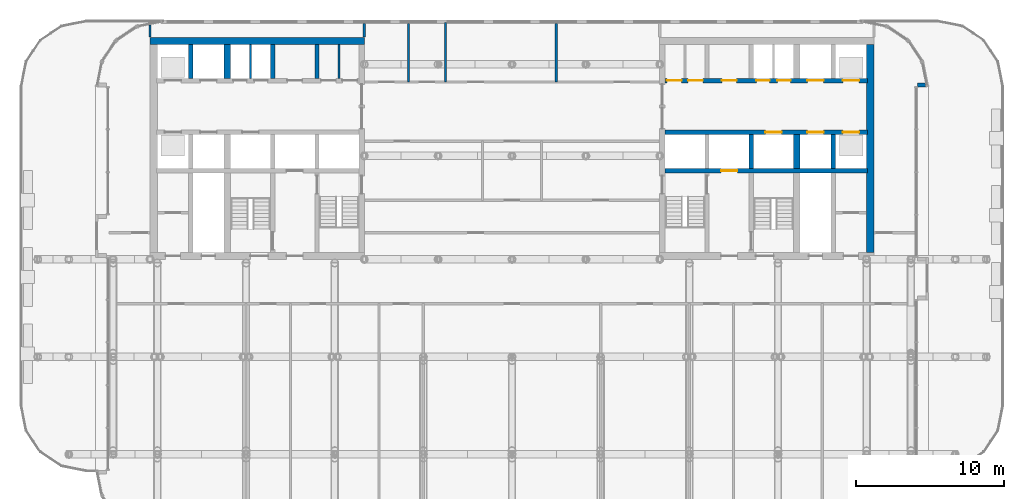
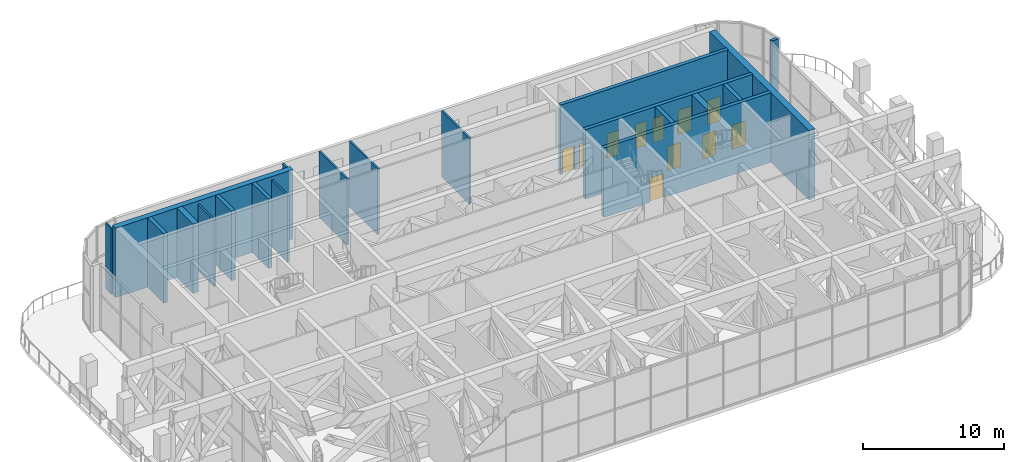
# One storey, part 19 of 25: 20 walls, 11 doors, 11 openings.
"""IFC4 building model written with IfcOpenShell, lengths in metres."""

from ifc_helpers import new_model, si_unit, direction, frame, frame_2d, origin, place, context, subcontext, project, spatial, rectangle, extrude, material, layer, layer_set, type_object, element, fill, save


model = new_model("IFC4")

# Units and contexts
model_context = context("Model", 3, precision=1e-05, world=origin(), true_north=direction((0.0, 1.0)))
body_context = subcontext(model_context, "Body", "Model", "MODEL_VIEW")
ifc_project = project(units=[si_unit("LENGTHUNIT", "METRE"), si_unit("AREAUNIT", "SQUARE_METRE"), si_unit("VOLUMEUNIT", "CUBIC_METRE"), si_unit("PLANEANGLEUNIT", "RADIAN"), si_unit("MASSUNIT", "GRAM", prefix="KILO")], contexts=[model_context])

# Site, building, storey
site_placement = place(None, origin())
site = spatial("IfcSite", under=ifc_project, at=site_placement, CompositionType="ELEMENT")
building_placement = place(site_placement, origin())
building = spatial("IfcBuilding", under=site, at=building_placement, Name="Torana Hotel and Residences", CompositionType="ELEMENT")
storey_placement = place(building_placement, frame((0.0, 0.0, 106.800048828125)))
storey = spatial("IfcBuildingStorey", under=building, at=storey_placement, Name="L27", CompositionType="ELEMENT", Elevation=106.800048828125)

# Walls
ifc_material_1 = material(Name="Concrete C70/85", Category="concrete")
ifc_layer_1 = layer(ifc_material_1, 0.300048828125)
ifc_layer_set_1 = layer_set([ifc_layer_1], Name="CORE WALL 300 C70/85")
wall_type_1 = type_object("IfcWallType", Name="CORE WALL 300 C70/85", PredefinedType="SHEAR", material=ifc_layer_set_1)
for number, where, z_axis, x_axis, name in (
    (1, (-13.199951171875, -2.75, 0.0), (0.0, 0.0, 1.0), (0.0, 1.0, 0.0), "Core wall W x3.05-N"),
    (2, (-16.199951171875, -2.75, 0.0), (0.0, 0.0, 1.0), (0.0, 1.0, 0.0), "Core wall W x6.05-N"),
    (3, (-21.75, -2.75, 0.0), (0.0, 0.0, 1.0), (0.0, 1.0, 0.0), "Core wall W mm-N"),
):
    element("IfcWall", number, at=place(storey_placement, frame(where, z_axis=z_axis, x_axis=x_axis)), inside=storey, type_object=wall_type_1, Name=name, PredefinedType="SHEAR", context=body_context, shape_type="SweptSolid", body=[
        extrude(rectangle(XDim=2.300048828125, YDim=0.300048828125, at=frame_2d((1.14990234375, 0.0))), origin(), (0.0, 0.0, 1.0), 6.0),
    ])

# Wall, openings, doors
wall_1_placement = place(storey_placement, frame((10.35009765625, -2.89990234375, 0.0), z_axis=(0.0, 0.0, 1.0), x_axis=(1.0, 0.0, 0.0)))
wall_1 = element("IfcWall", 4, at=wall_1_placement, inside=storey, type_object=wall_type_1, Name="Core wall E row-N", PredefinedType="SHEAR", context=body_context, shape_type="SweptSolid", body=[
    extrude(rectangle(XDim=13.699951171875, YDim=0.300048828125, at=frame_2d((6.85009765625, 0.0))), origin(), (0.0, 0.0, 1.0), 6.0),
])
opening_1_placement = place(wall_1_placement, frame((9.64990234375, 0.0, 0.0)))
opening_1 = element("IfcOpeningElement", 5, at=opening_1_placement, cuts=wall_1, Name="Opening LD", PredefinedType="OPENING", context=body_context, shape_type="SweptSolid", body=[
    extrude(rectangle(XDim=1.10009765625, YDim=2.10009765625, at=frame_2d((0.550048828125, 1.050048828125))), frame((0.0, 0.159912109375, 0.0), z_axis=(0.0, -1.0, 0.0), x_axis=(1.0, 0.0, 0.0)), (0.0, 0.0, 1.0), 0.320068359375),
])
opening_2_placement = place(wall_1_placement, frame((12.050048828125, 0.0, 0.0)))
opening_2 = element("IfcOpeningElement", 6, at=opening_2_placement, cuts=wall_1, Name="Opening LD", PredefinedType="OPENING", context=body_context, shape_type="SweptSolid", body=[
    extrude(rectangle(XDim=1.10009765625, YDim=2.10009765625, at=frame_2d((0.550048828125, 1.050048828125))), frame((0.0, 0.159912109375, 0.0), z_axis=(0.0, -1.0, 0.0), x_axis=(1.0, 0.0, 0.0)), (0.0, 0.0, 1.0), 0.320068359375),
])
opening_3_placement = place(wall_1_placement, frame((6.1875, 0.0, 0.0)))
opening_3 = element("IfcOpeningElement", 7, at=opening_3_placement, cuts=wall_1, Name="Opening L27-22", PredefinedType="OPENING", context=body_context, shape_type="SweptSolid", body=[
    extrude(rectangle(XDim=0.89990234375, YDim=2.10009765625, at=frame_2d((0.449951171875, 1.050048828125))), frame((0.0, 0.159912109375, 0.0), z_axis=(0.0, -1.0, 0.0), x_axis=(1.0, 0.0, 0.0)), (0.0, 0.0, 1.0), 0.320068359375),
])
opening_4_placement = place(wall_1_placement, frame((7.612548828125, 0.0, 0.0)))
opening_4 = element("IfcOpeningElement", 8, at=opening_4_placement, cuts=wall_1, Name="Opening L27-23", PredefinedType="OPENING", context=body_context, shape_type="SweptSolid", body=[
    extrude(rectangle(XDim=0.89990234375, YDim=2.10009765625, at=frame_2d((0.449951171875, 1.050048828125))), frame((0.0, 0.159912109375, 0.0), z_axis=(0.0, -1.0, 0.0), x_axis=(1.0, 0.0, 0.0)), (0.0, 0.0, 1.0), 0.320068359375),
])
opening_5_placement = place(wall_1_placement, frame((0.137451171875, 0.0, 0.0)))
opening_5 = element("IfcOpeningElement", 9, at=opening_5_placement, cuts=wall_1, Name="Opening L27-24", PredefinedType="OPENING", context=body_context, shape_type="SweptSolid", body=[
    extrude(rectangle(XDim=1.0, YDim=2.10009765625, at=frame_2d((0.5, 1.050048828125))), frame((0.0, 0.159912109375, 0.0), z_axis=(0.0, -1.0, 0.0), x_axis=(1.0, 0.0, 0.0)), (0.0, 0.0, 1.0), 0.320068359375),
])
opening_6_placement = place(wall_1_placement, frame((1.5625, 0.0, 0.0)))
opening_6 = element("IfcOpeningElement", 10, at=opening_6_placement, cuts=wall_1, Name="Opening L27-25", PredefinedType="OPENING", context=body_context, shape_type="SweptSolid", body=[
    extrude(rectangle(XDim=1.0, YDim=2.10009765625, at=frame_2d((0.5, 1.050048828125))), frame((0.0, 0.159912109375, 0.0), z_axis=(0.0, -1.0, 0.0), x_axis=(1.0, 0.0, 0.0)), (0.0, 0.0, 1.0), 0.320068359375),
])
opening_7_placement = place(wall_1_placement, frame((3.85009765625, 0.0, 0.0)))
opening_7 = element("IfcOpeningElement", 11, at=opening_7_placement, cuts=wall_1, Name="Opening L27-26", PredefinedType="OPENING", context=body_context, shape_type="SweptSolid", body=[
    extrude(rectangle(XDim=1.0, YDim=2.10009765625, at=frame_2d((0.5, 1.050048828125))), frame((0.0, 0.159912109375, 0.0), z_axis=(0.0, -1.0, 0.0), x_axis=(1.0, 0.0, 0.0)), (0.0, 0.0, 1.0), 0.320068359375),
])
ifc_material_2 = material(Name="Steel S235", Category="steel")
door_type_1 = type_object("IfcDoorType", Name="CORE ROOM FIRE DOOR D14 1000x2100", OperationType="SINGLE_SWING_LEFT", PredefinedType="DOOR", material=ifc_material_2)
door_1_placement = place(opening_5_placement, origin())
door_1 = element("IfcDoor", 12, at=door_1_placement, inside=storey, type_object=door_type_1, Name="N0A door L27", OperationType="SINGLE_SWING_RIGHT", OverallHeight=2.10009765625, OverallWidth=1.0, PredefinedType="DOOR", context=body_context, shape_type="SweptSolid", body=[
    extrude(rectangle(XDim=1.0, YDim=2.10009765625, at=frame_2d((0.5, 1.050048828125))), frame((0.0, 0.02490234375, 0.0), z_axis=(0.0, -1.0, 0.0), x_axis=(1.0, 0.0, 0.0)), (0.0, 0.0, 1.0), 0.050048828125),
])
fill(opening_5, door_1)
door_2_placement = place(opening_6_placement, origin())
door_2 = element("IfcDoor", 13, at=door_2_placement, inside=storey, type_object=door_type_1, Name="N0B door L27", OperationType="SINGLE_SWING_RIGHT", OverallHeight=2.10009765625, OverallWidth=1.0, PredefinedType="DOOR", context=body_context, shape_type="SweptSolid", body=[
    extrude(rectangle(XDim=1.0, YDim=2.10009765625, at=frame_2d((0.5, 1.050048828125))), frame((0.0, 0.02490234375, 0.0), z_axis=(0.0, -1.0, 0.0), x_axis=(1.0, 0.0, 0.0)), (0.0, 0.0, 1.0), 0.050048828125),
])
fill(opening_6, door_2)
door_3_placement = place(opening_7_placement, origin())
door_3 = element("IfcDoor", 14, at=door_3_placement, inside=storey, type_object=door_type_1, Name="N1 door L27", OperationType="SINGLE_SWING_RIGHT", OverallHeight=2.10009765625, OverallWidth=1.0, PredefinedType="DOOR", context=body_context, shape_type="SweptSolid", body=[
    extrude(rectangle(XDim=1.0, YDim=2.10009765625, at=frame_2d((0.5, 1.050048828125))), frame((0.0, 0.02490234375, 0.0), z_axis=(0.0, -1.0, 0.0), x_axis=(1.0, 0.0, 0.0)), (0.0, 0.0, 1.0), 0.050048828125),
])
fill(opening_7, door_3)
ifc_material_3 = material(Name="Stainless steel 316", Category="steel")
door_type_2 = type_object("IfcDoorType", Name="LIFT LANDING DOOR LD 1100x2100", OperationType="DOUBLE_DOOR_SLIDING", PredefinedType="USERDEFINED", material=ifc_material_3)
door_4_placement = place(opening_1_placement, origin())
door_4 = element("IfcDoor", 15, at=door_4_placement, inside=storey, type_object=door_type_2, Name="Lift landing door S2 L27", ObjectType="LIFT LANDING DOOR", OperationType="DOUBLE_DOOR_SLIDING", OverallHeight=2.10009765625, OverallWidth=1.10009765625, PredefinedType="USERDEFINED", context=body_context, shape_type="SweptSolid", body=[
    extrude(rectangle(XDim=1.10009765625, YDim=2.10009765625, at=frame_2d((0.550048828125, 1.050048828125))), frame((0.0, 0.02490234375, 0.0), z_axis=(0.0, -1.0, 0.0), x_axis=(1.0, 0.0, 0.0)), (0.0, 0.0, 1.0), 0.050048828125),
])
fill(opening_1, door_4)
door_5_placement = place(opening_2_placement, origin())
door_5 = element("IfcDoor", 16, at=door_5_placement, inside=storey, type_object=door_type_2, Name="Lift landing door M3 L27", ObjectType="LIFT LANDING DOOR", OperationType="DOUBLE_DOOR_SLIDING", OverallHeight=2.10009765625, OverallWidth=1.10009765625, PredefinedType="USERDEFINED", context=body_context, shape_type="SweptSolid", body=[
    extrude(rectangle(XDim=1.10009765625, YDim=2.10009765625, at=frame_2d((0.550048828125, 1.050048828125))), frame((0.0, 0.02490234375, 0.0), z_axis=(0.0, -1.0, 0.0), x_axis=(1.0, 0.0, 0.0)), (0.0, 0.0, 1.0), 0.050048828125),
])
fill(opening_2, door_5)
ifc_material_4 = material(Name="Steel S235", Category="steel")
door_type_3 = type_object("IfcDoorType", Name="RISER ACCESS DOOR D5 900x2100", OperationType="SINGLE_SWING_LEFT", PredefinedType="DOOR", material=ifc_material_4)
door_6_placement = place(opening_3_placement, origin())
door_6 = element("IfcDoor", 17, at=door_6_placement, inside=storey, type_object=door_type_3, Name="N2A door L27", OperationType="SINGLE_SWING_RIGHT", OverallHeight=2.10009765625, OverallWidth=0.89990234375, PredefinedType="DOOR", context=body_context, shape_type="SweptSolid", body=[
    extrude(rectangle(XDim=0.89990234375, YDim=2.10009765625, at=frame_2d((0.449951171875, 1.050048828125))), frame((0.0, 0.02490234375, 0.0), z_axis=(0.0, -1.0, 0.0), x_axis=(1.0, 0.0, 0.0)), (0.0, 0.0, 1.0), 0.050048828125),
])
fill(opening_3, door_6)
door_7_placement = place(opening_4_placement, origin())
door_7 = element("IfcDoor", 18, at=door_7_placement, inside=storey, type_object=door_type_3, Name="N2B door L27", OperationType="SINGLE_SWING_RIGHT", OverallHeight=2.10009765625, OverallWidth=0.89990234375, PredefinedType="DOOR", context=body_context, shape_type="SweptSolid", body=[
    extrude(rectangle(XDim=0.89990234375, YDim=2.10009765625, at=frame_2d((0.449951171875, 1.050048828125))), frame((0.0, 0.02490234375, 0.0), z_axis=(0.0, -1.0, 0.0), x_axis=(1.0, 0.0, 0.0)), (0.0, 0.0, 1.0), 0.050048828125),
])
fill(opening_4, door_7)

wall_2_placement = place(storey_placement, frame((10.35009765625, -6.39990234375, 0.0), z_axis=(0.0, 0.0, 1.0), x_axis=(1.0, 0.0, 0.0)))
wall_2 = element("IfcWall", 19, at=wall_2_placement, inside=storey, type_object=wall_type_1, Name="Core wall E row-S", PredefinedType="SHEAR", context=body_context, shape_type="SweptSolid", body=[
    extrude(rectangle(XDim=13.699951171875, YDim=0.300048828125, at=frame_2d((6.85009765625, 0.0))), origin(), (0.0, 0.0, 1.0), 6.0),
])
opening_8_placement = place(wall_2_placement, frame((9.64990234375, 0.0, 0.0)))
opening_8 = element("IfcOpeningElement", 20, at=opening_8_placement, cuts=wall_2, Name="Opening LD", PredefinedType="OPENING", context=body_context, shape_type="SweptSolid", body=[
    extrude(rectangle(XDim=1.10009765625, YDim=2.10009765625, at=frame_2d((0.550048828125, 1.050048828125))), frame((0.0, 0.159912109375, 0.0), z_axis=(0.0, -1.0, 0.0), x_axis=(1.0, 0.0, 0.0)), (0.0, 0.0, 1.0), 0.320068359375),
])
opening_9_placement = place(wall_2_placement, frame((12.050048828125, 0.0, 0.0)))
opening_9 = element("IfcOpeningElement", 21, at=opening_9_placement, cuts=wall_2, Name="Opening LD", PredefinedType="OPENING", context=body_context, shape_type="SweptSolid", body=[
    extrude(rectangle(XDim=1.10009765625, YDim=2.10009765625, at=frame_2d((0.550048828125, 1.050048828125))), frame((0.0, 0.159912109375, 0.0), z_axis=(0.0, -1.0, 0.0), x_axis=(1.0, 0.0, 0.0)), (0.0, 0.0, 1.0), 0.320068359375),
])
opening_10_placement = place(wall_2_placement, frame((6.800048828125, 0.0, 0.0)))
opening_10 = element("IfcOpeningElement", 22, at=opening_10_placement, cuts=wall_2, Name="Opening LD", PredefinedType="OPENING", context=body_context, shape_type="SweptSolid", body=[
    extrude(rectangle(XDim=1.10009765625, YDim=2.10009765625, at=frame_2d((0.550048828125, 1.050048828125))), frame((0.0, 0.159912109375, 0.0), z_axis=(0.0, -1.0, 0.0), x_axis=(1.0, 0.0, 0.0)), (0.0, 0.0, 1.0), 0.320068359375),
])
door_8_placement = place(opening_8_placement, origin())
door_8 = element("IfcDoor", 23, at=door_8_placement, inside=storey, type_object=door_type_2, Name="Lift landing door S4 L27", ObjectType="LIFT LANDING DOOR", OperationType="DOUBLE_DOOR_SLIDING", OverallHeight=2.10009765625, OverallWidth=1.10009765625, PredefinedType="USERDEFINED", context=body_context, shape_type="SweptSolid", body=[
    extrude(rectangle(XDim=1.10009765625, YDim=2.10009765625, at=frame_2d((0.550048828125, 1.050048828125))), frame((0.0, 0.02490234375, 0.0), z_axis=(0.0, -1.0, 0.0), x_axis=(1.0, 0.0, 0.0)), (0.0, 0.0, 1.0), 0.050048828125),
])
fill(opening_8, door_8)
door_9_placement = place(opening_9_placement, origin())
door_9 = element("IfcDoor", 24, at=door_9_placement, inside=storey, type_object=door_type_2, Name="Lift landing door M4 L27", ObjectType="LIFT LANDING DOOR", OperationType="DOUBLE_DOOR_SLIDING", OverallHeight=2.10009765625, OverallWidth=1.10009765625, PredefinedType="USERDEFINED", context=body_context, shape_type="SweptSolid", body=[
    extrude(rectangle(XDim=1.10009765625, YDim=2.10009765625, at=frame_2d((0.550048828125, 1.050048828125))), frame((0.0, 0.02490234375, 0.0), z_axis=(0.0, -1.0, 0.0), x_axis=(1.0, 0.0, 0.0)), (0.0, 0.0, 1.0), 0.050048828125),
])
fill(opening_9, door_9)
door_10_placement = place(opening_10_placement, origin())
door_10 = element("IfcDoor", 25, at=door_10_placement, inside=storey, type_object=door_type_2, Name="Lift landing door SV2 L27", ObjectType="LIFT LANDING DOOR", OperationType="DOUBLE_DOOR_SLIDING", OverallHeight=2.10009765625, OverallWidth=1.10009765625, PredefinedType="USERDEFINED", context=body_context, shape_type="SweptSolid", body=[
    extrude(rectangle(XDim=1.10009765625, YDim=2.10009765625, at=frame_2d((0.550048828125, 1.050048828125))), frame((0.0, 0.02490234375, 0.0), z_axis=(0.0, -1.0, 0.0), x_axis=(1.0, 0.0, 0.0)), (0.0, 0.0, 1.0), 0.050048828125),
])
fill(opening_10, door_10)

# Wall, opening, door
wall_3_placement = place(storey_placement, frame((10.35009765625, -9.0, 0.0), z_axis=(0.0, 0.0, 1.0), x_axis=(1.0, 0.0, 0.0)))
wall_3 = element("IfcWall", 26, at=wall_3_placement, inside=storey, type_object=wall_type_1, Name="Core wall E band", PredefinedType="SHEAR", context=body_context, shape_type="SweptSolid", body=[
    extrude(rectangle(XDim=13.699951171875, YDim=0.300048828125, at=frame_2d((6.85009765625, 0.0))), origin(), (0.0, 0.0, 1.0), 6.0),
])
opening_11_placement = place(wall_3_placement, frame((3.800048828125, 0.0, 0.0)))
opening_11 = element("IfcOpeningElement", 27, at=opening_11_placement, cuts=wall_3, Name="Opening LD", PredefinedType="OPENING", context=body_context, shape_type="SweptSolid", body=[
    extrude(rectangle(XDim=1.10009765625, YDim=2.10009765625, at=frame_2d((0.550048828125, 1.050048828125))), frame((0.0, 0.159912109375, 0.0), z_axis=(0.0, -1.0, 0.0), x_axis=(1.0, 0.0, 0.0)), (0.0, 0.0, 1.0), 0.320068359375),
])
door_11_placement = place(opening_11_placement, origin())
door_11 = element("IfcDoor", 28, at=door_11_placement, inside=storey, type_object=door_type_2, Name="Lift landing door FF2 L27", ObjectType="LIFT LANDING DOOR", OperationType="DOUBLE_DOOR_SLIDING", OverallHeight=2.10009765625, OverallWidth=1.10009765625, PredefinedType="USERDEFINED", context=body_context, shape_type="SweptSolid", body=[
    extrude(rectangle(XDim=1.10009765625, YDim=2.10009765625, at=frame_2d((0.550048828125, 1.050048828125))), frame((0.0, 0.02490234375, 0.0), z_axis=(0.0, -1.0, 0.0), x_axis=(1.0, 0.0, 0.0)), (0.0, 0.0, 1.0), 0.050048828125),
])
fill(opening_11, door_11)

# Walls
for number, where, z_axis, x_axis, name in (
    (29, (16.199951171875, -8.85009765625, 0.0), (0.0, 0.0, 1.0), (0.0, 1.0, 0.0), "Core wall E x6.05-S"),
    (30, (21.75, -8.85009765625, 0.0), (0.0, 0.0, 1.0), (0.0, 1.0, 0.0), "Core wall E mm-S"),
):
    element("IfcWall", number, at=place(storey_placement, frame(where, z_axis=z_axis, x_axis=x_axis)), inside=storey, type_object=wall_type_1, Name=name, PredefinedType="SHEAR", context=body_context, shape_type="SweptSolid", body=[
        extrude(rectangle(XDim=2.300048828125, YDim=0.300048828125, at=frame_2d((1.14990234375, 0.0))), origin(), (0.0, 0.0, 1.0), 6.0),
    ])
ifc_material_5 = material(Name="Concrete C70/85", Category="concrete")
ifc_layer_2 = layer(ifc_material_5, 0.449951171875)
ifc_layer_set_2 = layer_set([ifc_layer_2], Name="CORE WALL 450 C70/85")
wall_type_2 = type_object("IfcWallType", Name="CORE WALL 450 C70/85", PredefinedType="SHEAR", material=ifc_layer_set_2)
wall_4_placement = place(storey_placement, frame((-24.5, -0.22509765625, 0.0), z_axis=(0.0, 0.0, 1.0), x_axis=(1.0, 0.0, 0.0)))
element("IfcWall", 31, at=wall_4_placement, inside=storey, type_object=wall_type_2, Name="Core wall W rear", PredefinedType="SHEAR", context=body_context, shape_type="SweptSolid", body=[
    extrude(rectangle(XDim=14.5, YDim=0.449951171875, at=frame_2d((7.25, 0.0))), origin(), (0.0, 0.0, 1.0), 6.0),
])
for number, where, z_axis, x_axis, name in (
    (32, (-19.27490234375, -2.75, 0.0), (0.0, 0.0, 1.0), (0.0, 1.0, 0.0), "Core wall W hm-N"),
    (33, (19.27490234375, -8.85009765625, 0.0), (0.0, 0.0, 1.0), (0.0, 1.0, 0.0), "Core wall E hm-S"),
):
    element("IfcWall", number, at=place(storey_placement, frame(where, z_axis=z_axis, x_axis=x_axis)), inside=storey, type_object=wall_type_2, Name=name, PredefinedType="SHEAR", context=body_context, shape_type="SweptSolid", body=[
        extrude(rectangle(XDim=2.300048828125, YDim=0.449951171875, at=frame_2d((1.14990234375, 0.0))), origin(), (0.0, 0.0, 1.0), 6.0),
    ])
ifc_material_6 = material(Name="Concrete C70/85", Category="concrete")
ifc_layer_3 = layer(ifc_material_6, 0.5)
ifc_layer_set_3 = layer_set([ifc_layer_3], Name="CORE WALL 500 C70/85")
wall_type_3 = type_object("IfcWallType", Name="CORE WALL 500 C70/85", PredefinedType="SHEAR", material=ifc_layer_set_3)
wall_5_placement = place(storey_placement, frame((24.25, -14.550048828125, 0.0), z_axis=(0.0, 0.0, 1.0), x_axis=(0.0, 1.0, 0.0)))
element("IfcWall", 34, at=wall_5_placement, inside=storey, type_object=wall_type_3, Name="Core wall E outer", PredefinedType="SHEAR", context=body_context, shape_type="SweptSolid", body=[
    extrude(rectangle(XDim=14.10009765625, YDim=0.5, at=frame_2d((7.050048828125, 0.0))), origin(), (0.0, 0.0, 1.0), 6.0),
])
ifc_material_7 = material(Name="Black aluminium composite panel", Category="aluminium")
ifc_layer_4 = layer(ifc_material_7, 0.00390625, Name="Cladding", Category="cladding")
ifc_material_8 = material(Name="Ventilated air cavity")
ifc_layer_5 = layer(ifc_material_8, 0.0400390625, Name="Ventilated cavity", Category="cavity")
ifc_material_9 = material(Name="Mineral wool insulation")
ifc_layer_6 = layer(ifc_material_9, 0.090087890625, Name="Insulation", Category="insulation")
ifc_material_10 = material(Name="Steel S280GD", Category="steel")
ifc_layer_7 = layer(ifc_material_10, 0.092041015625, Name="Steel stud frame", Category="structure")
ifc_material_11 = material(Name="Fire rated plasterboard")
ifc_layer_8 = layer(ifc_material_11, 0.011962890625, Name="Inner board", Category="finish")
ifc_layer_9 = layer(ifc_material_11, 0.011962890625, Name="Second board", Category="finish")
ifc_layer_set_4 = layer_set([ifc_layer_4, ifc_layer_5, ifc_layer_6, ifc_layer_7, ifc_layer_8, ifc_layer_9], Name="EW1 EXTERNAL WALL BLACK METAL CLAD 250")
wall_type_4 = type_object("IfcWallType", Name="EW1 EXTERNAL WALL BLACK METAL CLAD 250", PredefinedType="SOLIDWALL", material=ifc_layer_set_4)
wall_6_placement = place(storey_placement, frame((27.455078125, -3.19970703125, 0.0), z_axis=(0.0, 0.0, 1.0), x_axis=(1.0, 0.0, 0.0)))
element("IfcWall", 35, at=wall_6_placement, inside=storey, type_object=wall_type_4, Name="External wall L27 e0.19 return 2", PredefinedType="SOLIDWALL", context=body_context, shape_type="SweptSolid", body=[
    extrude(rectangle(XDim=0.52490234375, YDim=0.25, at=frame_2d((0.262451171875, 0.0))), origin(), (0.0, 0.0, 1.0), 5.719970703125),
])
ifc_material_12 = material(Name="Gypsum plaster")
ifc_layer_10 = layer(ifc_material_12, 0.014892578125, Name="Plaster", Category="finish")
ifc_material_13 = material(Name="Concrete blockwork", Category="masonry")
ifc_layer_11 = layer(ifc_material_13, 0.1201171875, Name="Blockwork", Category="structure")
ifc_layer_12 = layer(ifc_material_12, 0.014892578125, Name="Plaster", Category="finish")
ifc_layer_set_5 = layer_set([ifc_layer_10, ifc_layer_11, ifc_layer_12], Name="FIRE PARTITION 150 BLOCKWORK")
wall_type_5 = type_object("IfcWallType", Name="FIRE PARTITION 150 BLOCKWORK", PredefinedType="PARTITIONING", material=ifc_layer_set_5)
for number, where, z_axis, x_axis, name in (
    (36, (-17.699951171875, -2.75, 0.0), (0.0, 0.0, 1.0), (0.0, 1.0, 0.0), "Core partition L27"),
    (37, (-11.699951171875, -2.75, 0.0), (0.0, 0.0, 1.0), (0.0, 1.0, 0.0), "Core partition L27"),
):
    element("IfcWall", number, at=place(storey_placement, frame(where, z_axis=z_axis, x_axis=x_axis)), inside=storey, type_object=wall_type_5, Name=name, PredefinedType="PARTITIONING", context=body_context, shape_type="SweptSolid", body=[
        extrude(rectangle(XDim=2.300048828125, YDim=0.14990234375, at=frame_2d((1.14990234375, 0.0))), origin(), (0.0, 0.0, 1.0), 5.699951171875),
    ])
ifc_material_14 = material(Name="Gypsum plasterboard")
ifc_layer_13 = layer(ifc_material_14, 0.012451171875, Name="Plasterboard", Category="finish")
ifc_layer_14 = layer(ifc_material_14, 0.012451171875, Name="Plasterboard", Category="finish")
ifc_layer_15 = layer(ifc_material_10, 0.10009765625, Name="Steel studs with mineral wool", Category="insulation")
ifc_layer_16 = layer(ifc_material_14, 0.012451171875, Name="Plasterboard", Category="finish")
ifc_layer_17 = layer(ifc_material_14, 0.012451171875, Name="Plasterboard", Category="finish")
ifc_layer_set_6 = layer_set([ifc_layer_13, ifc_layer_14, ifc_layer_15, ifc_layer_16, ifc_layer_17], Name="PARTITION 150 PLASTERBOARD")
wall_type_6 = type_object("IfcWallType", Name="PARTITION 150 PLASTERBOARD", PredefinedType="PARTITIONING", material=ifc_layer_set_6)
wall_7_placement = place(storey_placement, frame((3.0, -3.0, 0.0), z_axis=(0.0, 0.0, 1.0), x_axis=(0.0, 1.0, 0.0)))
element("IfcWall", 38, at=wall_7_placement, inside=storey, type_object=wall_type_6, Name="Partition L27", PredefinedType="PARTITIONING", context=body_context, shape_type="SweptSolid", body=[
    extrude(rectangle(XDim=3.9599609375, YDim=0.14990234375, at=frame_2d((1.97998046875, 0.0))), origin(), (0.0, 0.0, 1.0), 5.699951171875),
])
wall_8_placement = place(storey_placement, frame((-24.5, 0.050048828125, 0.0), z_axis=(0.0, 0.0, 1.0), x_axis=(0.0, 1.0, 0.0)))
element("IfcWall", 39, at=wall_8_placement, inside=storey, type_object=wall_type_6, Name="Partition L27", PredefinedType="PARTITIONING", context=body_context, shape_type="SweptSolid", body=[
    extrude(rectangle(XDim=0.807373046875, YDim=0.14990234375, at=frame_2d((0.40380859375, 0.0))), origin(), (0.0, 0.0, 1.0), 5.699951171875),
])
ifc_material_15 = material(Name="Ceramic tile on adhesive")
ifc_layer_18 = layer(ifc_material_15, 0.010009765625, Name="Wall tile", Category="finish")
ifc_material_16 = material(Name="Cement render")
ifc_layer_19 = layer(ifc_material_16, 0.010009765625, Name="Render", Category="finish")
ifc_layer_20 = layer(ifc_material_13, 0.110107421875, Name="Blockwork", Category="structure")
ifc_layer_21 = layer(ifc_material_16, 0.010009765625, Name="Render", Category="finish")
ifc_layer_22 = layer(ifc_material_15, 0.010009765625, Name="Wall tile", Category="finish")
ifc_layer_set_7 = layer_set([ifc_layer_18, ifc_layer_19, ifc_layer_20, ifc_layer_21, ifc_layer_22], Name="WC PARTITION 150")
wall_type_7 = type_object("IfcWallType", Name="WC PARTITION 150", PredefinedType="PLUMBINGWALL", material=ifc_layer_set_7)
wall_9_placement = place(storey_placement, frame((-4.5, -3.0, 0.0), z_axis=(0.0, 0.0, 1.0), x_axis=(0.0, 1.0, 0.0)))
element("IfcWall", 40, at=wall_9_placement, inside=storey, type_object=wall_type_7, Name="Partition L27", PredefinedType="PLUMBINGWALL", context=body_context, shape_type="SweptSolid", body=[
    extrude(rectangle(XDim=4.02001953125, YDim=0.14990234375, at=frame_2d((2.010009765625, 0.0))), origin(), (0.0, 0.0, 1.0), 5.699951171875),
])
wall_10_placement = place(storey_placement, frame((-7.0, -3.0, 0.0), z_axis=(0.0, 0.0, 1.0), x_axis=(0.0, 1.0, 0.0)))
element("IfcWall", 41, at=wall_10_placement, inside=storey, type_object=wall_type_7, Name="Partition L27", PredefinedType="PLUMBINGWALL", context=body_context, shape_type="SweptSolid", body=[
    extrude(rectangle(XDim=3.9599609375, YDim=0.14990234375, at=frame_2d((1.97998046875, 0.0))), origin(), (0.0, 0.0, 1.0), 5.699951171875),
])
wall_11_placement = place(storey_placement, frame((-10.0, 0.050048828125, 0.0), z_axis=(0.0, 0.0, 1.0), x_axis=(0.0, 1.0, 0.0)))
element("IfcWall", 42, at=wall_11_placement, inside=storey, type_object=wall_type_7, Name="Partition L27", PredefinedType="PLUMBINGWALL", context=body_context, shape_type="SweptSolid", body=[
    extrude(rectangle(XDim=0.909912109375, YDim=0.14990234375, at=frame_2d((0.455078125, 0.0))), origin(), (0.0, 0.0, 1.0), 5.699951171875),
])

save(model, "model.ifc")
